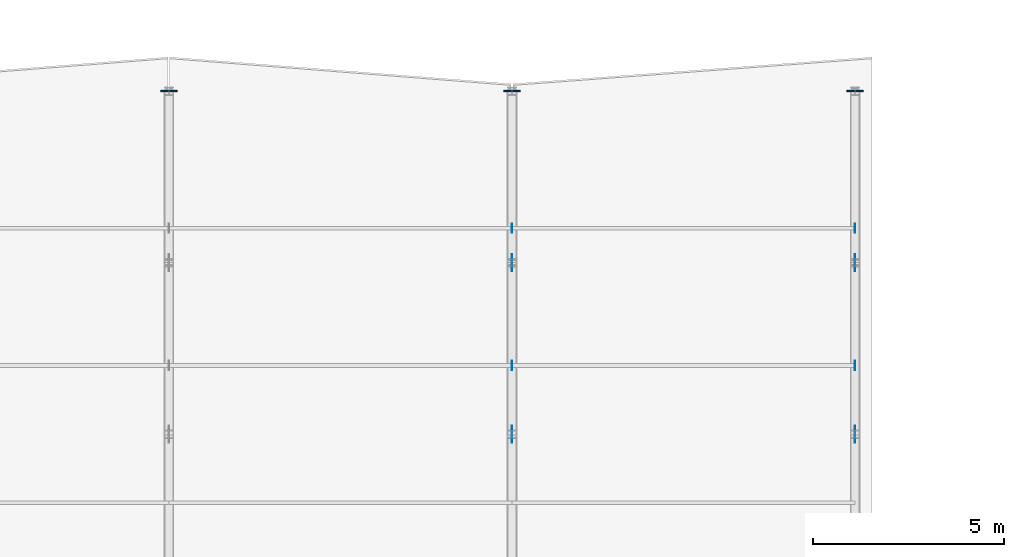
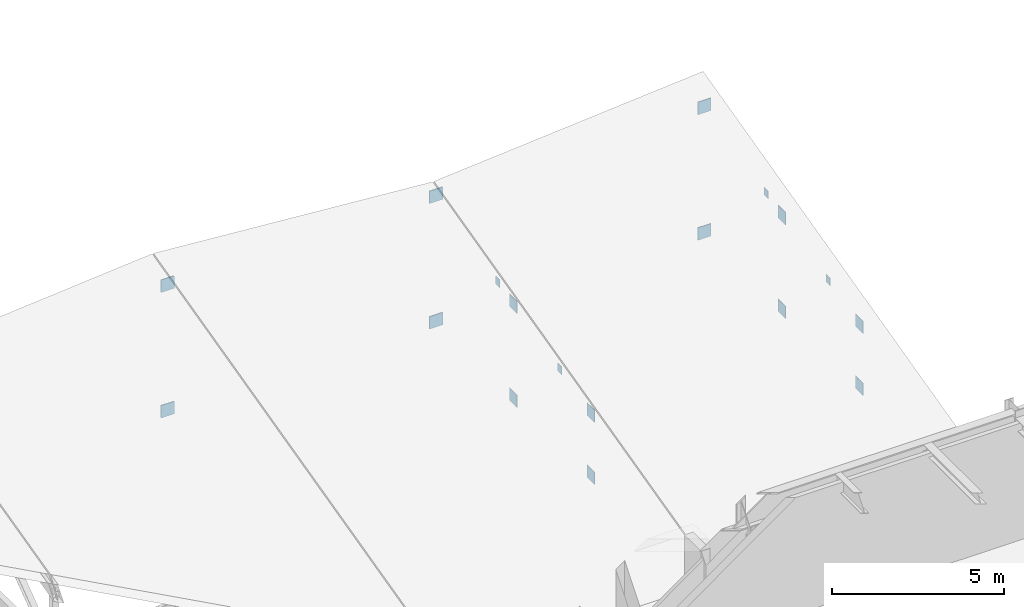
# One storey, part 50 of 67: 18 plates.
"""IFC4 building model written with IfcOpenShell, lengths in metres."""

from ifc_helpers import new_model, si_unit, direction, frame, origin, origin_2d, place, context, subcontext, project, spatial, rectangle, extrude, material, layer, layer_set, type_object, element, save


model = new_model("IFC4")

# Units and contexts
model_context = context("Model", 3, precision=1e-05, world=origin(), true_north=direction((0.0, 1.0)))
body_context = subcontext(model_context, "Body", "Model", "MODEL_VIEW")
ifc_project = project(units=[si_unit("LENGTHUNIT", "METRE"), si_unit("AREAUNIT", "SQUARE_METRE"), si_unit("VOLUMEUNIT", "CUBIC_METRE"), si_unit("PLANEANGLEUNIT", "RADIAN"), si_unit("MASSUNIT", "GRAM", prefix="KILO")], contexts=[model_context])

# Site, building, storey
site_placement = place(None, origin())
site = spatial("IfcSite", under=ifc_project, at=site_placement, CompositionType="ELEMENT")
building_placement = place(site_placement, origin())
building = spatial("IfcBuilding", under=site, at=building_placement, Name="Montelvaro Courts of Justice", CompositionType="ELEMENT")
storey_placement = place(building_placement, frame((0.0, 0.0, 18.89990234375)))
storey = spatial("IfcBuildingStorey", under=building, at=storey_placement, Name="L04", CompositionType="ELEMENT", Elevation=18.89990234375)

# Plates
ifc_material = material(Name="Steel S355", Category="steel")
ifc_layer_1 = layer(ifc_material, 0.011962890625)
ifc_layer_set_1 = layer_set([ifc_layer_1], Name="Steel S355")
plate_type_1 = type_object("IfcPlateType", Name="EndCapPlate_12", PredefinedType="USERDEFINED", material=ifc_layer_set_1)
for number, where, z_axis, x_axis, name in (
    (1, (63.0, 34.800048828125, 2.2099609375), (0.0, 0.0, 1.0), (1.0, 0.0, 0.0), "Purlin End Cap Plate CP-01 05-3M-B"),
    (2, (63.0, 38.39990234375, 3.10986328125), (0.0, 0.0, 1.0), (1.0, 0.0, 0.0), "Purlin End Cap Plate CP-01 05-4M-B"),
    (3, (72.0, 34.800048828125, 2.2099609375), (0.0, 0.0, 1.0), (1.0, 0.0, 0.0), "Purlin End Cap Plate CP-01 06-3M-B"),
    (4, (72.0, 38.39990234375, 3.10986328125), (0.0, 0.0, 1.0), (1.0, 0.0, 0.0), "Purlin End Cap Plate CP-01 06-4M-B"),
):
    element("IfcPlate", number, at=place(storey_placement, frame(where, z_axis=z_axis, x_axis=x_axis)), inside=storey, type_object=plate_type_1, Name=name, ObjectType="GUSSET PLATE", PredefinedType="USERDEFINED", context=body_context, shape_type="SweptSolid", body=[
        extrude(rectangle(XDim=0.011962890625, YDim=0.239990234375, at=origin_2d()), origin(), (0.0, 0.0, 1.0), 0.280029296875),
    ])
ifc_layer_2 = layer(ifc_material, 0.035888671875)
ifc_layer_set_2 = layer_set([ifc_layer_2], Name="Steel S355")
plate_type_2 = type_object("IfcPlateType", Name="EndCapPlate_36", PredefinedType="USERDEFINED", material=ifc_layer_set_2)
for number, where, z_axis, x_axis, name in (
    (5, (54.0, 42.0, -0.519775390625), (0.0, 0.0, 1.0), (1.0, 0.0, 0.0), "Roof Truss End Cap Plate CP-02 ROOF-V3-VTR05-B1"),
    (6, (54.0, 42.0, 3.93017578125), (0.0, 0.0, 1.0), (1.0, 0.0, 0.0), "Roof Truss End Cap Plate CP-02 ROOF-V3-VTR05-T1"),
    (7, (63.0, 42.0, -0.519775390625), (0.0, 0.0, 1.0), (1.0, 0.0, 0.0), "Roof Truss End Cap Plate CP-02 ROOF-V3-VTR06-B1"),
    (8, (63.0, 42.0, 3.93017578125), (0.0, 0.0, 1.0), (1.0, 0.0, 0.0), "Roof Truss End Cap Plate CP-02 ROOF-V3-VTR06-T1"),
    (9, (72.0, 42.0, -0.519775390625), (0.0, 0.0, 1.0), (1.0, 0.0, 0.0), "Roof Truss End Cap Plate CP-02 ROOF-V3-VTR07-B1"),
    (10, (72.0, 42.0, 3.93017578125), (0.0, 0.0, 1.0), (1.0, 0.0, 0.0), "Roof Truss End Cap Plate CP-02 ROOF-V3-VTR07-T1"),
):
    element("IfcPlate", number, at=place(storey_placement, frame(where, z_axis=z_axis, x_axis=x_axis)), inside=storey, type_object=plate_type_2, Name=name, ObjectType="GUSSET PLATE", PredefinedType="USERDEFINED", context=body_context, shape_type="SweptSolid", body=[
        extrude(rectangle(XDim=0.43994140625, YDim=0.035888671875, at=origin_2d()), origin(), (0.0, 0.0, 1.0), 0.43994140625),
    ])
ifc_layer_3 = layer(ifc_material, 0.02001953125)
ifc_layer_set_3 = layer_set([ifc_layer_3], Name="Steel S355")
plate_type_3 = type_object("IfcPlateType", Name="GussetPlate_20", PredefinedType="USERDEFINED", material=ifc_layer_set_3)
for number, where, z_axis, x_axis, name in (
    (11, (63.0, 33.0, -0.519775390625), (0.0, 0.0, 1.0), (1.0, 0.0, 0.0), "Roof Truss Gusset Plate GP-01 ROOF-V3-VTR06-2B"),
    (12, (63.0, 33.0, 1.68017578125), (0.0, 0.0, 1.0), (1.0, 0.0, 0.0), "Roof Truss Gusset Plate GP-01 ROOF-V3-VTR06-2T"),
    (13, (63.0, 37.5, -0.519775390625), (0.0, 0.0, 1.0), (1.0, 0.0, 0.0), "Roof Truss Gusset Plate GP-01 ROOF-V3-VTR06-3B"),
    (14, (63.0, 37.5, 2.80517578125), (0.0, 0.0, 1.0), (1.0, 0.0, 0.0), "Roof Truss Gusset Plate GP-01 ROOF-V3-VTR06-3T"),
    (15, (72.0, 33.0, -0.519775390625), (0.0, 0.0, 1.0), (1.0, 0.0, 0.0), "Roof Truss Gusset Plate GP-01 ROOF-V3-VTR07-2B"),
    (16, (72.0, 33.0, 1.68017578125), (0.0, 0.0, 1.0), (1.0, 0.0, 0.0), "Roof Truss Gusset Plate GP-01 ROOF-V3-VTR07-2T"),
    (17, (72.0, 37.5, -0.519775390625), (0.0, 0.0, 1.0), (1.0, 0.0, 0.0), "Roof Truss Gusset Plate GP-01 ROOF-V3-VTR07-3B"),
    (18, (72.0, 37.5, 2.80517578125), (0.0, 0.0, 1.0), (1.0, 0.0, 0.0), "Roof Truss Gusset Plate GP-01 ROOF-V3-VTR07-3T"),
):
    element("IfcPlate", number, at=place(storey_placement, frame(where, z_axis=z_axis, x_axis=x_axis)), inside=storey, type_object=plate_type_3, Name=name, ObjectType="GUSSET PLATE", PredefinedType="USERDEFINED", context=body_context, shape_type="SweptSolid", body=[
        extrude(rectangle(XDim=0.02001953125, YDim=0.43994140625, at=origin_2d()), origin(), (0.0, 0.0, 1.0), 0.43994140625),
    ])

save(model, "model.ifc")
